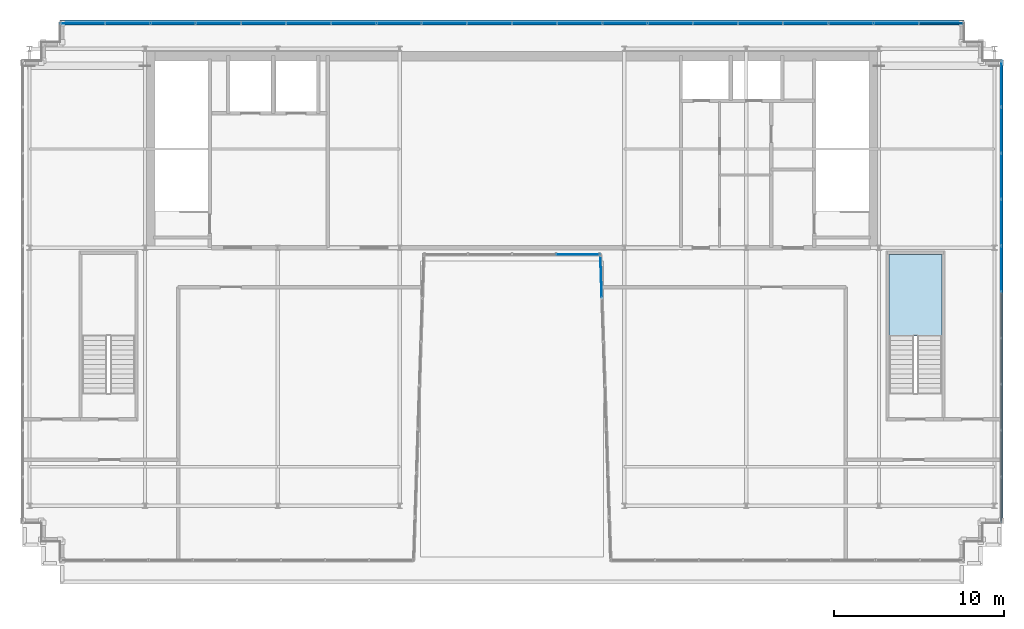
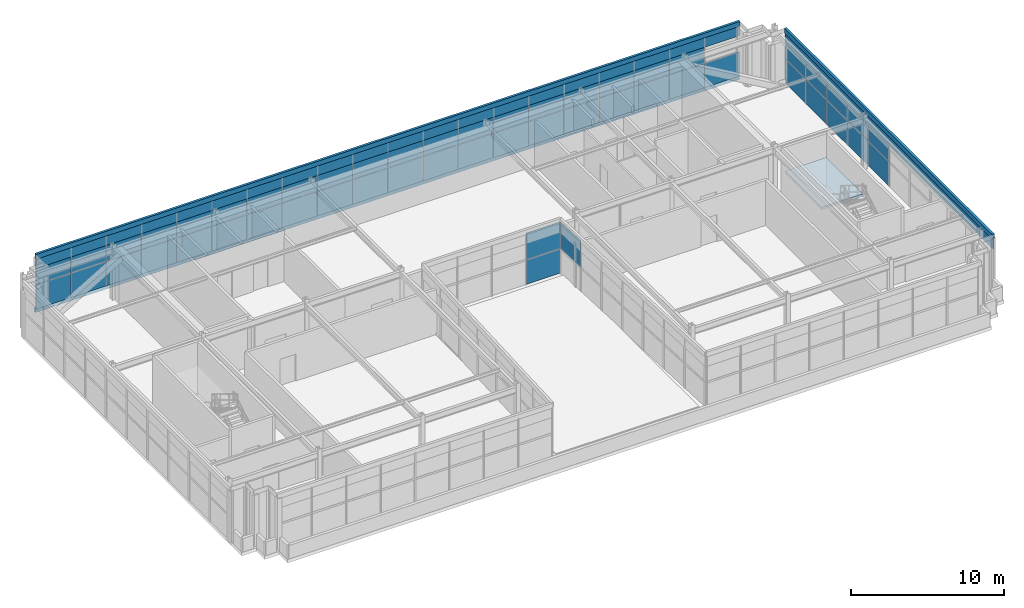
# One storey, part 29 of 37: 56 plates, 2 slabs, 5 elements without a shape of their own.
"""IFC4 building model written with IfcOpenShell, lengths in metres."""

from ifc_helpers import new_model, si_unit, direction, frame, origin, origin_2d, place, context, subcontext, project, spatial, polyline, rectangle, outline, extrude, source, transform, mapped, material, layer, layer_set, type_object, element, aggregate, save


model = new_model("IFC4")

# Units and contexts
model_context = context("Model", 3, precision=1e-05, world=origin(), true_north=direction((0.0, 1.0)))
body_context = subcontext(model_context, "Body", "Model", "MODEL_VIEW")
ifc_project = project(units=[si_unit("LENGTHUNIT", "METRE"), si_unit("AREAUNIT", "SQUARE_METRE"), si_unit("VOLUMEUNIT", "CUBIC_METRE"), si_unit("PLANEANGLEUNIT", "RADIAN"), si_unit("MASSUNIT", "GRAM", prefix="KILO")], contexts=[model_context])

# Site, building, storey
site_placement = place(None, origin())
site = spatial("IfcSite", under=ifc_project, at=site_placement, CompositionType="ELEMENT")
building_placement = place(site_placement, origin())
building = spatial("IfcBuilding", under=site, at=building_placement, Name="Trelvane Seafront Commons", CompositionType="ELEMENT")
storey_placement = place(building_placement, frame((0.0, 0.0, 303.5)))
storey = spatial("IfcBuildingStorey", under=building, at=storey_placement, Name="L79", CompositionType="ELEMENT", Elevation=303.5)

# Stair, slab
ifc_material_1 = material(Name="Concrete C40/50", Category="concrete")
stair_type = type_object("IfcStairType", Name="ARCH-STR-ST-6-R26-169", PredefinedType="HALF_TURN_STAIR", material=ifc_material_1)
stair_placement = place(storey_placement, origin())
stair = element("IfcStair", 1, at=stair_placement, inside=storey, type_object=stair_type, Name="L79 Crown East Peak Enclosed Maintenance Exit Stair ST-6", PredefinedType="HALF_TURN_STAIR")
ifc_layer_1 = layer(ifc_material_1, 0.199951171875, Name="ARCH-LND-200")
ifc_layer_set_1 = layer_set([ifc_layer_1], Name="Concrete C40/50")
slab_type_1 = type_object("IfcSlabType", Name="ARCH-LND-200", PredefinedType="LANDING", material=ifc_layer_set_1)
slab_1_placement = place(storey_placement, frame((0.0, 0.0, 2.0)))
slab_1 = element("IfcSlab", 2, at=slab_1_placement, type_object=slab_type_1, Name="ST-6 landing 1", PredefinedType="LANDING", context=body_context, shape_type="SweptSolid", body=[
    extrude(outline(polyline([(62.5, 28.2099609375), (62.5, 33.0), (59.39990234375, 33.0), (59.39990234375, 28.2099609375), (62.5, 28.2099609375)])), origin(), (0.0, 0.0, 1.0), 0.199951171875),
])
aggregate(stair, [slab_1])

# Slab
ifc_layer_2 = layer(ifc_material_1, 0.27001953125, Name="STR-ROOF-270")
ifc_layer_set_2 = layer_set([ifc_layer_2], Name="Concrete C40/50")
slab_type_2 = type_object("IfcSlabType", Name="STR-ROOF-270", PredefinedType="ROOF", material=ifc_layer_set_2)
slab_2_placement = place(storey_placement, frame((0.0, 0.0, -0.27001953125)))
element("IfcSlab", 3, at=slab_2_placement, inside=storey, type_object=slab_type_2, Name="L79 Crown Setback Step Roof Slab", PredefinedType="ROOF", context=body_context, shape_type="SweptSolid", body=[
    extrude(outline(polyline([(10.60009765625, 46.60009765625), (63.800048828125, 46.60009765625), (63.800048828125, 46.800048828125), (10.60009765625, 46.800048828125), (10.60009765625, 46.60009765625)])), origin(), (0.0, 0.0, 1.0), 0.27001953125),
])

# Plate
ifc_material_2 = material(Name="Anodised pale-silver aluminium", Category="aluminium")
ifc_layer_3 = layer(ifc_material_2, 0.080078125, Name="ARCH-PLATE-LOUVRE")
ifc_layer_set_3 = layer_set([ifc_layer_3], Name="Anodised pale-silver aluminium")
plate_type_1 = type_object("IfcPlateType", Name="ARCH-PLATE-LOUVRE", PredefinedType="USERDEFINED", material=ifc_layer_set_3)
shared_shape_1 = source(origin(), body_context, "Body", "SweptSolid", [
    extrude(rectangle(XDim=53.199951171875, YDim=0.080078125, at=origin_2d()), origin(), (0.0, 0.0, 1.0), 0.889892578125),
])
plate_1_placement = place(storey_placement, frame((37.199951171875, 46.60009765625, 3.25), z_axis=(0.0, 0.0, 1.0), x_axis=(1.0, 0.0, 0.0)))
element("IfcPlate", 4, at=plate_1_placement, inside=storey, type_object=plate_type_1, Name="LOU-L79-018", ObjectType="LOUVRE", PredefinedType="USERDEFINED", context=body_context, shape_type="MappedRepresentation", body=[
    mapped(shared_shape_1, transform((0.0, 0.0, 0.0), x_axis=(1.0, 0.0, 0.0), y_axis=(0.0, 1.0, 0.0), z_axis=(0.0, 0.0, 1.0), scale=1.0)),
])

# Curtain wall, plates
curtain_wall_type = type_object("IfcCurtainWallType", Name="ARCH-CW6-CROWN", PredefinedType="NOTDEFINED", material=ifc_material_2)
curtain_wall_1_placement = place(storey_placement, origin())
curtain_wall_1 = element("IfcCurtainWall", 5, at=curtain_wall_1_placement, inside=storey, type_object=curtain_wall_type, Name="CW-L79-0130", PredefinedType="NOTDEFINED")
ifc_material_3 = material(Name="Low-E coastal double glazing", Category="glass")
ifc_layer_4 = layer(ifc_material_3, 0.033935546875, Name="ARCH-CW-GLAZ-34")
ifc_layer_set_4 = layer_set([ifc_layer_4], Name="Low-E coastal double glazing")
plate_type_2 = type_object("IfcPlateType", Name="ARCH-CW-GLAZ-34", PredefinedType="CURTAIN_PANEL", material=ifc_layer_set_4)
shared_shape_2 = source(origin(), body_context, "Body", "SweptSolid", [
    extrude(rectangle(XDim=2.696044921875, YDim=0.031982421875, at=origin_2d()), origin(), (0.0, 0.0, 1.0), 1.949951171875),
])
plate_2_placement = place(storey_placement, frame((66.0, 43.0400390625, 0.0), z_axis=(0.0, 0.0, 1.0), x_axis=(0.0, -1.0, 0.0)))
plate_2 = element("IfcPlate", 6, at=plate_2_placement, type_object=plate_type_2, Name="CW-L79-0130-P00-1", PredefinedType="CURTAIN_PANEL", context=body_context, shape_type="MappedRepresentation", body=[
    mapped(shared_shape_2, transform((0.0, 0.0, 0.0), x_axis=(1.0, 0.0, 0.0), y_axis=(0.0, 1.0, 0.0), z_axis=(0.0, 0.0, 1.0), scale=1.0)),
])
plate_3_placement = place(storey_placement, frame((66.0, 40.320068359375, 0.0), z_axis=(0.0, 0.0, 1.0), x_axis=(0.0, -1.0, 0.0)))
plate_3 = element("IfcPlate", 7, at=plate_3_placement, type_object=plate_type_2, Name="CW-L79-0130-P01-1", PredefinedType="CURTAIN_PANEL", context=body_context, shape_type="MappedRepresentation", body=[
    mapped(shared_shape_2, transform((0.0, 0.0, 0.0), x_axis=(1.0, 0.0, 0.0), y_axis=(0.0, 1.0, 0.0), z_axis=(0.0, 0.0, 1.0), scale=1.0)),
])
plate_4_placement = place(storey_placement, frame((66.0, 37.60009765625, 0.0), z_axis=(0.0, 0.0, 1.0), x_axis=(0.0, -1.0, 0.0)))
plate_4 = element("IfcPlate", 8, at=plate_4_placement, type_object=plate_type_2, Name="CW-L79-0130-P02-1", PredefinedType="CURTAIN_PANEL", context=body_context, shape_type="MappedRepresentation", body=[
    mapped(shared_shape_2, transform((0.0, 0.0, 0.0), x_axis=(1.0, 0.0, 0.0), y_axis=(0.0, 1.0, 0.0), z_axis=(0.0, 0.0, 1.0), scale=1.0)),
])
plate_5_placement = place(storey_placement, frame((66.0, 34.8798828125, 0.0), z_axis=(0.0, 0.0, 1.0), x_axis=(0.0, -1.0, 0.0)))
plate_5 = element("IfcPlate", 9, at=plate_5_placement, type_object=plate_type_2, Name="CW-L79-0130-P03-1", PredefinedType="CURTAIN_PANEL", context=body_context, shape_type="MappedRepresentation", body=[
    mapped(shared_shape_2, transform((0.0, 0.0, 0.0), x_axis=(1.0, 0.0, 0.0), y_axis=(0.0, 1.0, 0.0), z_axis=(0.0, 0.0, 1.0), scale=1.0)),
])
plate_6_placement = place(storey_placement, frame((66.0, 32.159912109375, 0.0), z_axis=(0.0, 0.0, 1.0), x_axis=(0.0, -1.0, 0.0)))
plate_6 = element("IfcPlate", 10, at=plate_6_placement, type_object=plate_type_2, Name="CW-L79-0130-P04-1", PredefinedType="CURTAIN_PANEL", context=body_context, shape_type="MappedRepresentation", body=[
    mapped(shared_shape_2, transform((0.0, 0.0, 0.0), x_axis=(1.0, 0.0, 0.0), y_axis=(0.0, 1.0, 0.0), z_axis=(0.0, 0.0, 1.0), scale=1.0)),
])
shared_shape_3 = source(origin(), body_context, "Body", "SweptSolid", [
    extrude(rectangle(XDim=2.696044921875, YDim=0.031982421875, at=origin_2d()), origin(), (0.0, 0.0, 1.0), 2.114013671875),
])
plate_7_placement = place(storey_placement, frame((66.0, 43.0400390625, 1.98583984375), z_axis=(0.0, 0.0, 1.0), x_axis=(0.0, -1.0, 0.0)))
plate_7 = element("IfcPlate", 11, at=plate_7_placement, type_object=plate_type_2, Name="CW-L79-0130-P00-2", PredefinedType="CURTAIN_PANEL", context=body_context, shape_type="MappedRepresentation", body=[
    mapped(shared_shape_3, transform((0.0, 0.0, 0.0), x_axis=(1.0, 0.0, 0.0), y_axis=(0.0, 1.0, 0.0), z_axis=(0.0, 0.0, 1.0), scale=1.0)),
])
plate_8_placement = place(storey_placement, frame((66.0, 40.320068359375, 1.98583984375), z_axis=(0.0, 0.0, 1.0), x_axis=(0.0, -1.0, 0.0)))
plate_8 = element("IfcPlate", 12, at=plate_8_placement, type_object=plate_type_2, Name="CW-L79-0130-P01-2", PredefinedType="CURTAIN_PANEL", context=body_context, shape_type="MappedRepresentation", body=[
    mapped(shared_shape_3, transform((0.0, 0.0, 0.0), x_axis=(1.0, 0.0, 0.0), y_axis=(0.0, 1.0, 0.0), z_axis=(0.0, 0.0, 1.0), scale=1.0)),
])
plate_9_placement = place(storey_placement, frame((66.0, 37.60009765625, 1.98583984375), z_axis=(0.0, 0.0, 1.0), x_axis=(0.0, -1.0, 0.0)))
plate_9 = element("IfcPlate", 13, at=plate_9_placement, type_object=plate_type_2, Name="CW-L79-0130-P02-2", PredefinedType="CURTAIN_PANEL", context=body_context, shape_type="MappedRepresentation", body=[
    mapped(shared_shape_3, transform((0.0, 0.0, 0.0), x_axis=(1.0, 0.0, 0.0), y_axis=(0.0, 1.0, 0.0), z_axis=(0.0, 0.0, 1.0), scale=1.0)),
])
plate_10_placement = place(storey_placement, frame((66.0, 34.8798828125, 1.98583984375), z_axis=(0.0, 0.0, 1.0), x_axis=(0.0, -1.0, 0.0)))
plate_10 = element("IfcPlate", 14, at=plate_10_placement, type_object=plate_type_2, Name="CW-L79-0130-P03-2", PredefinedType="CURTAIN_PANEL", context=body_context, shape_type="MappedRepresentation", body=[
    mapped(shared_shape_3, transform((0.0, 0.0, 0.0), x_axis=(1.0, 0.0, 0.0), y_axis=(0.0, 1.0, 0.0), z_axis=(0.0, 0.0, 1.0), scale=1.0)),
])
plate_11_placement = place(storey_placement, frame((66.0, 32.159912109375, 1.98583984375), z_axis=(0.0, 0.0, 1.0), x_axis=(0.0, -1.0, 0.0)))
plate_11 = element("IfcPlate", 15, at=plate_11_placement, type_object=plate_type_2, Name="CW-L79-0130-P04-2", PredefinedType="CURTAIN_PANEL", context=body_context, shape_type="MappedRepresentation", body=[
    mapped(shared_shape_3, transform((0.0, 0.0, 0.0), x_axis=(1.0, 0.0, 0.0), y_axis=(0.0, 1.0, 0.0), z_axis=(0.0, 0.0, 1.0), scale=1.0)),
])
aggregate(curtain_wall_1, [plate_2, plate_7, plate_3, plate_8, plate_4, plate_9, plate_5, plate_10, plate_6, plate_11])

# Plates
shared_shape_4 = source(origin(), body_context, "Body", "SweptSolid", [
    extrude(rectangle(XDim=27.199951171875, YDim=0.080078125, at=origin_2d()), origin(), (0.0, 0.0, 1.0), 0.889892578125),
])
plate_12_placement = place(storey_placement, frame((66.0, 30.800048828125, 3.25), z_axis=(0.0, 0.0, 1.0), x_axis=(0.0, -1.0, 0.0)))
element("IfcPlate", 16, at=plate_12_placement, inside=storey, type_object=plate_type_1, Name="LOU-L79-019", ObjectType="LOUVRE", PredefinedType="USERDEFINED", context=body_context, shape_type="MappedRepresentation", body=[
    mapped(shared_shape_4, transform((0.0, 0.0, 0.0), x_axis=(1.0, 0.0, 0.0), y_axis=(0.0, 1.0, 0.0), z_axis=(0.0, 0.0, 1.0), scale=1.0)),
])
ifc_layer_5 = layer(ifc_material_2, 0.179931640625, Name="ARCH-PLATE-AERO")
ifc_layer_set_5 = layer_set([ifc_layer_5], Name="Anodised pale-silver aluminium")
plate_type_3 = type_object("IfcPlateType", Name="ARCH-PLATE-AERO", PredefinedType="SHEET", material=ifc_layer_set_5)
shared_shape_5 = source(origin(), body_context, "Body", "SweptSolid", [
    extrude(rectangle(XDim=27.199951171875, YDim=0.179931640625, at=origin_2d()), origin(), (0.0, 0.0, 1.0), 0.3798828125),
])
plate_13_placement = place(storey_placement, frame((66.0, 30.800048828125, 4.0400390625), z_axis=(0.0, 0.0, 1.0), x_axis=(0.0, -1.0, 0.0)))
element("IfcPlate", 17, at=plate_13_placement, inside=storey, type_object=plate_type_3, Name="AER-L79-00276", PredefinedType="SHEET", context=body_context, shape_type="MappedRepresentation", body=[
    mapped(shared_shape_5, transform((0.0, 0.0, 0.0), x_axis=(1.0, 0.0, 0.0), y_axis=(0.0, 1.0, 0.0), z_axis=(0.0, 0.0, 1.0), scale=1.0)),
])

# Curtain wall, plates
curtain_wall_2_placement = place(storey_placement, origin())
curtain_wall_2 = element("IfcCurtainWall", 18, at=curtain_wall_2_placement, inside=storey, type_object=curtain_wall_type, Name="CW-L79-0129", PredefinedType="NOTDEFINED")
shared_shape_6 = source(origin(), body_context, "Body", "SweptSolid", [
    extrude(rectangle(XDim=2.635986328125, YDim=0.031982421875, at=origin_2d()), origin(), (0.0, 0.0, 1.0), 1.949951171875),
])
plate_14_placement = place(storey_placement, frame((11.929931640625, 46.60009765625, 0.0), z_axis=(0.0, 0.0, 1.0), x_axis=(1.0, 0.0, 0.0)))
plate_14 = element("IfcPlate", 19, at=plate_14_placement, type_object=plate_type_2, Name="CW-L79-0129-P00-1", PredefinedType="CURTAIN_PANEL", context=body_context, shape_type="MappedRepresentation", body=[
    mapped(shared_shape_6, transform((0.0, 0.0, 0.0), x_axis=(1.0, 0.0, 0.0), y_axis=(0.0, 1.0, 0.0), z_axis=(0.0, 0.0, 1.0), scale=1.0)),
])
plate_15_placement = place(storey_placement, frame((14.590087890625, 46.60009765625, 0.0), z_axis=(0.0, 0.0, 1.0), x_axis=(1.0, 0.0, 0.0)))
plate_15 = element("IfcPlate", 20, at=plate_15_placement, type_object=plate_type_2, Name="CW-L79-0129-P01-1", PredefinedType="CURTAIN_PANEL", context=body_context, shape_type="MappedRepresentation", body=[
    mapped(shared_shape_6, transform((0.0, 0.0, 0.0), x_axis=(1.0, 0.0, 0.0), y_axis=(0.0, 1.0, 0.0), z_axis=(0.0, 0.0, 1.0), scale=1.0)),
])
plate_16_placement = place(storey_placement, frame((17.25, 46.60009765625, 0.0), z_axis=(0.0, 0.0, 1.0), x_axis=(1.0, 0.0, 0.0)))
plate_16 = element("IfcPlate", 21, at=plate_16_placement, type_object=plate_type_2, Name="CW-L79-0129-P02-1", PredefinedType="CURTAIN_PANEL", context=body_context, shape_type="MappedRepresentation", body=[
    mapped(shared_shape_6, transform((0.0, 0.0, 0.0), x_axis=(1.0, 0.0, 0.0), y_axis=(0.0, 1.0, 0.0), z_axis=(0.0, 0.0, 1.0), scale=1.0)),
])
plate_17_placement = place(storey_placement, frame((19.909912109375, 46.60009765625, 0.0), z_axis=(0.0, 0.0, 1.0), x_axis=(1.0, 0.0, 0.0)))
plate_17 = element("IfcPlate", 22, at=plate_17_placement, type_object=plate_type_2, Name="CW-L79-0129-P03-1", PredefinedType="CURTAIN_PANEL", context=body_context, shape_type="MappedRepresentation", body=[
    mapped(shared_shape_6, transform((0.0, 0.0, 0.0), x_axis=(1.0, 0.0, 0.0), y_axis=(0.0, 1.0, 0.0), z_axis=(0.0, 0.0, 1.0), scale=1.0)),
])
plate_18_placement = place(storey_placement, frame((22.570068359375, 46.60009765625, 0.0), z_axis=(0.0, 0.0, 1.0), x_axis=(1.0, 0.0, 0.0)))
plate_18 = element("IfcPlate", 23, at=plate_18_placement, type_object=plate_type_2, Name="CW-L79-0129-P04-1", PredefinedType="CURTAIN_PANEL", context=body_context, shape_type="MappedRepresentation", body=[
    mapped(shared_shape_6, transform((0.0, 0.0, 0.0), x_axis=(1.0, 0.0, 0.0), y_axis=(0.0, 1.0, 0.0), z_axis=(0.0, 0.0, 1.0), scale=1.0)),
])
plate_19_placement = place(storey_placement, frame((25.22998046875, 46.60009765625, 0.0), z_axis=(0.0, 0.0, 1.0), x_axis=(1.0, 0.0, 0.0)))
plate_19 = element("IfcPlate", 24, at=plate_19_placement, type_object=plate_type_2, Name="CW-L79-0129-P05-1", PredefinedType="CURTAIN_PANEL", context=body_context, shape_type="MappedRepresentation", body=[
    mapped(shared_shape_6, transform((0.0, 0.0, 0.0), x_axis=(1.0, 0.0, 0.0), y_axis=(0.0, 1.0, 0.0), z_axis=(0.0, 0.0, 1.0), scale=1.0)),
])
plate_20_placement = place(storey_placement, frame((27.889892578125, 46.60009765625, 0.0), z_axis=(0.0, 0.0, 1.0), x_axis=(1.0, 0.0, 0.0)))
plate_20 = element("IfcPlate", 25, at=plate_20_placement, type_object=plate_type_2, Name="CW-L79-0129-P06-1", PredefinedType="CURTAIN_PANEL", context=body_context, shape_type="MappedRepresentation", body=[
    mapped(shared_shape_6, transform((0.0, 0.0, 0.0), x_axis=(1.0, 0.0, 0.0), y_axis=(0.0, 1.0, 0.0), z_axis=(0.0, 0.0, 1.0), scale=1.0)),
])
plate_21_placement = place(storey_placement, frame((30.550048828125, 46.60009765625, 0.0), z_axis=(0.0, 0.0, 1.0), x_axis=(1.0, 0.0, 0.0)))
plate_21 = element("IfcPlate", 26, at=plate_21_placement, type_object=plate_type_2, Name="CW-L79-0129-P07-1", PredefinedType="CURTAIN_PANEL", context=body_context, shape_type="MappedRepresentation", body=[
    mapped(shared_shape_6, transform((0.0, 0.0, 0.0), x_axis=(1.0, 0.0, 0.0), y_axis=(0.0, 1.0, 0.0), z_axis=(0.0, 0.0, 1.0), scale=1.0)),
])
plate_22_placement = place(storey_placement, frame((33.2099609375, 46.60009765625, 0.0), z_axis=(0.0, 0.0, 1.0), x_axis=(1.0, 0.0, 0.0)))
plate_22 = element("IfcPlate", 27, at=plate_22_placement, type_object=plate_type_2, Name="CW-L79-0129-P08-1", PredefinedType="CURTAIN_PANEL", context=body_context, shape_type="MappedRepresentation", body=[
    mapped(shared_shape_6, transform((0.0, 0.0, 0.0), x_axis=(1.0, 0.0, 0.0), y_axis=(0.0, 1.0, 0.0), z_axis=(0.0, 0.0, 1.0), scale=1.0)),
])
plate_23_placement = place(storey_placement, frame((35.8701171875, 46.60009765625, 0.0), z_axis=(0.0, 0.0, 1.0), x_axis=(1.0, 0.0, 0.0)))
plate_23 = element("IfcPlate", 28, at=plate_23_placement, type_object=plate_type_2, Name="CW-L79-0129-P09-1", PredefinedType="CURTAIN_PANEL", context=body_context, shape_type="MappedRepresentation", body=[
    mapped(shared_shape_6, transform((0.0, 0.0, 0.0), x_axis=(1.0, 0.0, 0.0), y_axis=(0.0, 1.0, 0.0), z_axis=(0.0, 0.0, 1.0), scale=1.0)),
])
plate_24_placement = place(storey_placement, frame((38.530029296875, 46.60009765625, 0.0), z_axis=(0.0, 0.0, 1.0), x_axis=(1.0, 0.0, 0.0)))
plate_24 = element("IfcPlate", 29, at=plate_24_placement, type_object=plate_type_2, Name="CW-L79-0129-P10-1", PredefinedType="CURTAIN_PANEL", context=body_context, shape_type="MappedRepresentation", body=[
    mapped(shared_shape_6, transform((0.0, 0.0, 0.0), x_axis=(1.0, 0.0, 0.0), y_axis=(0.0, 1.0, 0.0), z_axis=(0.0, 0.0, 1.0), scale=1.0)),
])
plate_25_placement = place(storey_placement, frame((41.18994140625, 46.60009765625, 0.0), z_axis=(0.0, 0.0, 1.0), x_axis=(1.0, 0.0, 0.0)))
plate_25 = element("IfcPlate", 30, at=plate_25_placement, type_object=plate_type_2, Name="CW-L79-0129-P11-1", PredefinedType="CURTAIN_PANEL", context=body_context, shape_type="MappedRepresentation", body=[
    mapped(shared_shape_6, transform((0.0, 0.0, 0.0), x_axis=(1.0, 0.0, 0.0), y_axis=(0.0, 1.0, 0.0), z_axis=(0.0, 0.0, 1.0), scale=1.0)),
])
plate_26_placement = place(storey_placement, frame((43.85009765625, 46.60009765625, 0.0), z_axis=(0.0, 0.0, 1.0), x_axis=(1.0, 0.0, 0.0)))
plate_26 = element("IfcPlate", 31, at=plate_26_placement, type_object=plate_type_2, Name="CW-L79-0129-P12-1", PredefinedType="CURTAIN_PANEL", context=body_context, shape_type="MappedRepresentation", body=[
    mapped(shared_shape_6, transform((0.0, 0.0, 0.0), x_axis=(1.0, 0.0, 0.0), y_axis=(0.0, 1.0, 0.0), z_axis=(0.0, 0.0, 1.0), scale=1.0)),
])
plate_27_placement = place(storey_placement, frame((46.510009765625, 46.60009765625, 0.0), z_axis=(0.0, 0.0, 1.0), x_axis=(1.0, 0.0, 0.0)))
plate_27 = element("IfcPlate", 32, at=plate_27_placement, type_object=plate_type_2, Name="CW-L79-0129-P13-1", PredefinedType="CURTAIN_PANEL", context=body_context, shape_type="MappedRepresentation", body=[
    mapped(shared_shape_6, transform((0.0, 0.0, 0.0), x_axis=(1.0, 0.0, 0.0), y_axis=(0.0, 1.0, 0.0), z_axis=(0.0, 0.0, 1.0), scale=1.0)),
])
plate_28_placement = place(storey_placement, frame((49.169921875, 46.60009765625, 0.0), z_axis=(0.0, 0.0, 1.0), x_axis=(1.0, 0.0, 0.0)))
plate_28 = element("IfcPlate", 33, at=plate_28_placement, type_object=plate_type_2, Name="CW-L79-0129-P14-1", PredefinedType="CURTAIN_PANEL", context=body_context, shape_type="MappedRepresentation", body=[
    mapped(shared_shape_6, transform((0.0, 0.0, 0.0), x_axis=(1.0, 0.0, 0.0), y_axis=(0.0, 1.0, 0.0), z_axis=(0.0, 0.0, 1.0), scale=1.0)),
])
plate_29_placement = place(storey_placement, frame((51.830078125, 46.60009765625, 0.0), z_axis=(0.0, 0.0, 1.0), x_axis=(1.0, 0.0, 0.0)))
plate_29 = element("IfcPlate", 34, at=plate_29_placement, type_object=plate_type_2, Name="CW-L79-0129-P15-1", PredefinedType="CURTAIN_PANEL", context=body_context, shape_type="MappedRepresentation", body=[
    mapped(shared_shape_6, transform((0.0, 0.0, 0.0), x_axis=(1.0, 0.0, 0.0), y_axis=(0.0, 1.0, 0.0), z_axis=(0.0, 0.0, 1.0), scale=1.0)),
])
plate_30_placement = place(storey_placement, frame((54.489990234375, 46.60009765625, 0.0), z_axis=(0.0, 0.0, 1.0), x_axis=(1.0, 0.0, 0.0)))
plate_30 = element("IfcPlate", 35, at=plate_30_placement, type_object=plate_type_2, Name="CW-L79-0129-P16-1", PredefinedType="CURTAIN_PANEL", context=body_context, shape_type="MappedRepresentation", body=[
    mapped(shared_shape_6, transform((0.0, 0.0, 0.0), x_axis=(1.0, 0.0, 0.0), y_axis=(0.0, 1.0, 0.0), z_axis=(0.0, 0.0, 1.0), scale=1.0)),
])
plate_31_placement = place(storey_placement, frame((57.14990234375, 46.60009765625, 0.0), z_axis=(0.0, 0.0, 1.0), x_axis=(1.0, 0.0, 0.0)))
plate_31 = element("IfcPlate", 36, at=plate_31_placement, type_object=plate_type_2, Name="CW-L79-0129-P17-1", PredefinedType="CURTAIN_PANEL", context=body_context, shape_type="MappedRepresentation", body=[
    mapped(shared_shape_6, transform((0.0, 0.0, 0.0), x_axis=(1.0, 0.0, 0.0), y_axis=(0.0, 1.0, 0.0), z_axis=(0.0, 0.0, 1.0), scale=1.0)),
])
plate_32_placement = place(storey_placement, frame((59.81005859375, 46.60009765625, 0.0), z_axis=(0.0, 0.0, 1.0), x_axis=(1.0, 0.0, 0.0)))
plate_32 = element("IfcPlate", 37, at=plate_32_placement, type_object=plate_type_2, Name="CW-L79-0129-P18-1", PredefinedType="CURTAIN_PANEL", context=body_context, shape_type="MappedRepresentation", body=[
    mapped(shared_shape_6, transform((0.0, 0.0, 0.0), x_axis=(1.0, 0.0, 0.0), y_axis=(0.0, 1.0, 0.0), z_axis=(0.0, 0.0, 1.0), scale=1.0)),
])
plate_33_placement = place(storey_placement, frame((62.469970703125, 46.60009765625, 0.0), z_axis=(0.0, 0.0, 1.0), x_axis=(1.0, 0.0, 0.0)))
plate_33 = element("IfcPlate", 38, at=plate_33_placement, type_object=plate_type_2, Name="CW-L79-0129-P19-1", PredefinedType="CURTAIN_PANEL", context=body_context, shape_type="MappedRepresentation", body=[
    mapped(shared_shape_6, transform((0.0, 0.0, 0.0), x_axis=(1.0, 0.0, 0.0), y_axis=(0.0, 1.0, 0.0), z_axis=(0.0, 0.0, 1.0), scale=1.0)),
])
shared_shape_7 = source(origin(), body_context, "Body", "SweptSolid", [
    extrude(rectangle(XDim=2.635986328125, YDim=0.031982421875, at=origin_2d()), origin(), (0.0, 0.0, 1.0), 2.114013671875),
])
plate_34_placement = place(storey_placement, frame((11.929931640625, 46.60009765625, 1.98583984375), z_axis=(0.0, 0.0, 1.0), x_axis=(1.0, 0.0, 0.0)))
plate_34 = element("IfcPlate", 39, at=plate_34_placement, type_object=plate_type_2, Name="CW-L79-0129-P00-2", PredefinedType="CURTAIN_PANEL", context=body_context, shape_type="MappedRepresentation", body=[
    mapped(shared_shape_7, transform((0.0, 0.0, 0.0), x_axis=(1.0, 0.0, 0.0), y_axis=(0.0, 1.0, 0.0), z_axis=(0.0, 0.0, 1.0), scale=1.0)),
])
plate_35_placement = place(storey_placement, frame((14.590087890625, 46.60009765625, 1.98583984375), z_axis=(0.0, 0.0, 1.0), x_axis=(1.0, 0.0, 0.0)))
plate_35 = element("IfcPlate", 40, at=plate_35_placement, type_object=plate_type_2, Name="CW-L79-0129-P01-2", PredefinedType="CURTAIN_PANEL", context=body_context, shape_type="MappedRepresentation", body=[
    mapped(shared_shape_7, transform((0.0, 0.0, 0.0), x_axis=(1.0, 0.0, 0.0), y_axis=(0.0, 1.0, 0.0), z_axis=(0.0, 0.0, 1.0), scale=1.0)),
])
plate_36_placement = place(storey_placement, frame((17.25, 46.60009765625, 1.98583984375), z_axis=(0.0, 0.0, 1.0), x_axis=(1.0, 0.0, 0.0)))
plate_36 = element("IfcPlate", 41, at=plate_36_placement, type_object=plate_type_2, Name="CW-L79-0129-P02-2", PredefinedType="CURTAIN_PANEL", context=body_context, shape_type="MappedRepresentation", body=[
    mapped(shared_shape_7, transform((0.0, 0.0, 0.0), x_axis=(1.0, 0.0, 0.0), y_axis=(0.0, 1.0, 0.0), z_axis=(0.0, 0.0, 1.0), scale=1.0)),
])
plate_37_placement = place(storey_placement, frame((19.909912109375, 46.60009765625, 1.98583984375), z_axis=(0.0, 0.0, 1.0), x_axis=(1.0, 0.0, 0.0)))
plate_37 = element("IfcPlate", 42, at=plate_37_placement, type_object=plate_type_2, Name="CW-L79-0129-P03-2", PredefinedType="CURTAIN_PANEL", context=body_context, shape_type="MappedRepresentation", body=[
    mapped(shared_shape_7, transform((0.0, 0.0, 0.0), x_axis=(1.0, 0.0, 0.0), y_axis=(0.0, 1.0, 0.0), z_axis=(0.0, 0.0, 1.0), scale=1.0)),
])
plate_38_placement = place(storey_placement, frame((22.570068359375, 46.60009765625, 1.98583984375), z_axis=(0.0, 0.0, 1.0), x_axis=(1.0, 0.0, 0.0)))
plate_38 = element("IfcPlate", 43, at=plate_38_placement, type_object=plate_type_2, Name="CW-L79-0129-P04-2", PredefinedType="CURTAIN_PANEL", context=body_context, shape_type="MappedRepresentation", body=[
    mapped(shared_shape_7, transform((0.0, 0.0, 0.0), x_axis=(1.0, 0.0, 0.0), y_axis=(0.0, 1.0, 0.0), z_axis=(0.0, 0.0, 1.0), scale=1.0)),
])
plate_39_placement = place(storey_placement, frame((25.22998046875, 46.60009765625, 1.98583984375), z_axis=(0.0, 0.0, 1.0), x_axis=(1.0, 0.0, 0.0)))
plate_39 = element("IfcPlate", 44, at=plate_39_placement, type_object=plate_type_2, Name="CW-L79-0129-P05-2", PredefinedType="CURTAIN_PANEL", context=body_context, shape_type="MappedRepresentation", body=[
    mapped(shared_shape_7, transform((0.0, 0.0, 0.0), x_axis=(1.0, 0.0, 0.0), y_axis=(0.0, 1.0, 0.0), z_axis=(0.0, 0.0, 1.0), scale=1.0)),
])
plate_40_placement = place(storey_placement, frame((27.889892578125, 46.60009765625, 1.98583984375), z_axis=(0.0, 0.0, 1.0), x_axis=(1.0, 0.0, 0.0)))
plate_40 = element("IfcPlate", 45, at=plate_40_placement, type_object=plate_type_2, Name="CW-L79-0129-P06-2", PredefinedType="CURTAIN_PANEL", context=body_context, shape_type="MappedRepresentation", body=[
    mapped(shared_shape_7, transform((0.0, 0.0, 0.0), x_axis=(1.0, 0.0, 0.0), y_axis=(0.0, 1.0, 0.0), z_axis=(0.0, 0.0, 1.0), scale=1.0)),
])
plate_41_placement = place(storey_placement, frame((30.550048828125, 46.60009765625, 1.98583984375), z_axis=(0.0, 0.0, 1.0), x_axis=(1.0, 0.0, 0.0)))
plate_41 = element("IfcPlate", 46, at=plate_41_placement, type_object=plate_type_2, Name="CW-L79-0129-P07-2", PredefinedType="CURTAIN_PANEL", context=body_context, shape_type="MappedRepresentation", body=[
    mapped(shared_shape_7, transform((0.0, 0.0, 0.0), x_axis=(1.0, 0.0, 0.0), y_axis=(0.0, 1.0, 0.0), z_axis=(0.0, 0.0, 1.0), scale=1.0)),
])
plate_42_placement = place(storey_placement, frame((33.2099609375, 46.60009765625, 1.98583984375), z_axis=(0.0, 0.0, 1.0), x_axis=(1.0, 0.0, 0.0)))
plate_42 = element("IfcPlate", 47, at=plate_42_placement, type_object=plate_type_2, Name="CW-L79-0129-P08-2", PredefinedType="CURTAIN_PANEL", context=body_context, shape_type="MappedRepresentation", body=[
    mapped(shared_shape_7, transform((0.0, 0.0, 0.0), x_axis=(1.0, 0.0, 0.0), y_axis=(0.0, 1.0, 0.0), z_axis=(0.0, 0.0, 1.0), scale=1.0)),
])
plate_43_placement = place(storey_placement, frame((35.8701171875, 46.60009765625, 1.98583984375), z_axis=(0.0, 0.0, 1.0), x_axis=(1.0, 0.0, 0.0)))
plate_43 = element("IfcPlate", 48, at=plate_43_placement, type_object=plate_type_2, Name="CW-L79-0129-P09-2", PredefinedType="CURTAIN_PANEL", context=body_context, shape_type="MappedRepresentation", body=[
    mapped(shared_shape_7, transform((0.0, 0.0, 0.0), x_axis=(1.0, 0.0, 0.0), y_axis=(0.0, 1.0, 0.0), z_axis=(0.0, 0.0, 1.0), scale=1.0)),
])
plate_44_placement = place(storey_placement, frame((38.530029296875, 46.60009765625, 1.98583984375), z_axis=(0.0, 0.0, 1.0), x_axis=(1.0, 0.0, 0.0)))
plate_44 = element("IfcPlate", 49, at=plate_44_placement, type_object=plate_type_2, Name="CW-L79-0129-P10-2", PredefinedType="CURTAIN_PANEL", context=body_context, shape_type="MappedRepresentation", body=[
    mapped(shared_shape_7, transform((0.0, 0.0, 0.0), x_axis=(1.0, 0.0, 0.0), y_axis=(0.0, 1.0, 0.0), z_axis=(0.0, 0.0, 1.0), scale=1.0)),
])
plate_45_placement = place(storey_placement, frame((41.18994140625, 46.60009765625, 1.98583984375), z_axis=(0.0, 0.0, 1.0), x_axis=(1.0, 0.0, 0.0)))
plate_45 = element("IfcPlate", 50, at=plate_45_placement, type_object=plate_type_2, Name="CW-L79-0129-P11-2", PredefinedType="CURTAIN_PANEL", context=body_context, shape_type="MappedRepresentation", body=[
    mapped(shared_shape_7, transform((0.0, 0.0, 0.0), x_axis=(1.0, 0.0, 0.0), y_axis=(0.0, 1.0, 0.0), z_axis=(0.0, 0.0, 1.0), scale=1.0)),
])
plate_46_placement = place(storey_placement, frame((43.85009765625, 46.60009765625, 1.98583984375), z_axis=(0.0, 0.0, 1.0), x_axis=(1.0, 0.0, 0.0)))
plate_46 = element("IfcPlate", 51, at=plate_46_placement, type_object=plate_type_2, Name="CW-L79-0129-P12-2", PredefinedType="CURTAIN_PANEL", context=body_context, shape_type="MappedRepresentation", body=[
    mapped(shared_shape_7, transform((0.0, 0.0, 0.0), x_axis=(1.0, 0.0, 0.0), y_axis=(0.0, 1.0, 0.0), z_axis=(0.0, 0.0, 1.0), scale=1.0)),
])
plate_47_placement = place(storey_placement, frame((46.510009765625, 46.60009765625, 1.98583984375), z_axis=(0.0, 0.0, 1.0), x_axis=(1.0, 0.0, 0.0)))
plate_47 = element("IfcPlate", 52, at=plate_47_placement, type_object=plate_type_2, Name="CW-L79-0129-P13-2", PredefinedType="CURTAIN_PANEL", context=body_context, shape_type="MappedRepresentation", body=[
    mapped(shared_shape_7, transform((0.0, 0.0, 0.0), x_axis=(1.0, 0.0, 0.0), y_axis=(0.0, 1.0, 0.0), z_axis=(0.0, 0.0, 1.0), scale=1.0)),
])
plate_48_placement = place(storey_placement, frame((49.169921875, 46.60009765625, 1.98583984375), z_axis=(0.0, 0.0, 1.0), x_axis=(1.0, 0.0, 0.0)))
plate_48 = element("IfcPlate", 53, at=plate_48_placement, type_object=plate_type_2, Name="CW-L79-0129-P14-2", PredefinedType="CURTAIN_PANEL", context=body_context, shape_type="MappedRepresentation", body=[
    mapped(shared_shape_7, transform((0.0, 0.0, 0.0), x_axis=(1.0, 0.0, 0.0), y_axis=(0.0, 1.0, 0.0), z_axis=(0.0, 0.0, 1.0), scale=1.0)),
])
plate_49_placement = place(storey_placement, frame((51.830078125, 46.60009765625, 1.98583984375), z_axis=(0.0, 0.0, 1.0), x_axis=(1.0, 0.0, 0.0)))
plate_49 = element("IfcPlate", 54, at=plate_49_placement, type_object=plate_type_2, Name="CW-L79-0129-P15-2", PredefinedType="CURTAIN_PANEL", context=body_context, shape_type="MappedRepresentation", body=[
    mapped(shared_shape_7, transform((0.0, 0.0, 0.0), x_axis=(1.0, 0.0, 0.0), y_axis=(0.0, 1.0, 0.0), z_axis=(0.0, 0.0, 1.0), scale=1.0)),
])
plate_50_placement = place(storey_placement, frame((54.489990234375, 46.60009765625, 1.98583984375), z_axis=(0.0, 0.0, 1.0), x_axis=(1.0, 0.0, 0.0)))
plate_50 = element("IfcPlate", 55, at=plate_50_placement, type_object=plate_type_2, Name="CW-L79-0129-P16-2", PredefinedType="CURTAIN_PANEL", context=body_context, shape_type="MappedRepresentation", body=[
    mapped(shared_shape_7, transform((0.0, 0.0, 0.0), x_axis=(1.0, 0.0, 0.0), y_axis=(0.0, 1.0, 0.0), z_axis=(0.0, 0.0, 1.0), scale=1.0)),
])
plate_51_placement = place(storey_placement, frame((57.14990234375, 46.60009765625, 1.98583984375), z_axis=(0.0, 0.0, 1.0), x_axis=(1.0, 0.0, 0.0)))
plate_51 = element("IfcPlate", 56, at=plate_51_placement, type_object=plate_type_2, Name="CW-L79-0129-P17-2", PredefinedType="CURTAIN_PANEL", context=body_context, shape_type="MappedRepresentation", body=[
    mapped(shared_shape_7, transform((0.0, 0.0, 0.0), x_axis=(1.0, 0.0, 0.0), y_axis=(0.0, 1.0, 0.0), z_axis=(0.0, 0.0, 1.0), scale=1.0)),
])
plate_52_placement = place(storey_placement, frame((59.81005859375, 46.60009765625, 1.98583984375), z_axis=(0.0, 0.0, 1.0), x_axis=(1.0, 0.0, 0.0)))
plate_52 = element("IfcPlate", 57, at=plate_52_placement, type_object=plate_type_2, Name="CW-L79-0129-P18-2", PredefinedType="CURTAIN_PANEL", context=body_context, shape_type="MappedRepresentation", body=[
    mapped(shared_shape_7, transform((0.0, 0.0, 0.0), x_axis=(1.0, 0.0, 0.0), y_axis=(0.0, 1.0, 0.0), z_axis=(0.0, 0.0, 1.0), scale=1.0)),
])
aggregate(curtain_wall_2, [plate_14, plate_34, plate_15, plate_35, plate_16, plate_36, plate_17, plate_37, plate_18, plate_38, plate_19, plate_39, plate_20, plate_40, plate_21, plate_41, plate_22, plate_42, plate_23, plate_43, plate_24, plate_44, plate_25, plate_45, plate_26, plate_46, plate_27, plate_47, plate_28, plate_48, plate_29, plate_49, plate_30, plate_50, plate_31, plate_51, plate_32, plate_52, plate_33])

# Plate
shared_shape_8 = source(origin(), body_context, "Body", "SweptSolid", [
    extrude(rectangle(XDim=53.199951171875, YDim=0.179931640625, at=origin_2d()), origin(), (0.0, 0.0, 1.0), 0.3798828125),
])
plate_53_placement = place(storey_placement, frame((37.199951171875, 46.60009765625, 4.0400390625), z_axis=(0.0, 0.0, 1.0), x_axis=(1.0, 0.0, 0.0)))
element("IfcPlate", 58, at=plate_53_placement, inside=storey, type_object=plate_type_3, Name="AER-L79-00275", PredefinedType="SHEET", context=body_context, shape_type="MappedRepresentation", body=[
    mapped(shared_shape_8, transform((0.0, 0.0, 0.0), x_axis=(1.0, 0.0, 0.0), y_axis=(0.0, 1.0, 0.0), z_axis=(0.0, 0.0, 1.0), scale=1.0)),
])

# Curtain wall, plates
curtain_wall_3_placement = place(storey_placement, origin())
curtain_wall_3 = element("IfcCurtainWall", 59, at=curtain_wall_3_placement, inside=storey, type_object=curtain_wall_type, Name="CW-L79-0133", PredefinedType="NOTDEFINED")
shared_shape_9 = source(origin(), body_context, "Body", "SweptSolid", [
    extrude(rectangle(XDim=2.575927734375, YDim=0.031982421875, at=origin_2d()), origin(), (0.0, 0.0, 1.0), 1.949951171875),
])
plate_54_placement = place(storey_placement, frame((41.10009765625, 33.0, 0.0), z_axis=(0.0, 0.0, 1.0), x_axis=(-1.0, 0.0, 0.0)))
plate_54 = element("IfcPlate", 60, at=plate_54_placement, type_object=plate_type_2, Name="CW-L79-0133-P00-1", PredefinedType="CURTAIN_PANEL", context=body_context, shape_type="MappedRepresentation", body=[
    mapped(shared_shape_9, transform((0.0, 0.0, 0.0), x_axis=(1.0, 0.0, 0.0), y_axis=(0.0, 1.0, 0.0), z_axis=(0.0, 0.0, 1.0), scale=1.0)),
])
shared_shape_10 = source(origin(), body_context, "Body", "SweptSolid", [
    extrude(rectangle(XDim=2.575927734375, YDim=0.031982421875, at=origin_2d()), origin(), (0.0, 0.0, 1.0), 2.114013671875),
])
plate_55_placement = place(storey_placement, frame((41.10009765625, 33.0, 1.98583984375), z_axis=(0.0, 0.0, 1.0), x_axis=(-1.0, 0.0, 0.0)))
plate_55 = element("IfcPlate", 61, at=plate_55_placement, type_object=plate_type_2, Name="CW-L79-0133-P00-2", PredefinedType="CURTAIN_PANEL", context=body_context, shape_type="MappedRepresentation", body=[
    mapped(shared_shape_10, transform((0.0, 0.0, 0.0), x_axis=(1.0, 0.0, 0.0), y_axis=(0.0, 1.0, 0.0), z_axis=(0.0, 0.0, 1.0), scale=1.0)),
])
aggregate(curtain_wall_3, [plate_54, plate_55])

# Curtain wall, plate
curtain_wall_4_placement = place(storey_placement, origin())
curtain_wall_4 = element("IfcCurtainWall", 62, at=curtain_wall_4_placement, inside=storey, type_object=curtain_wall_type, Name="CW-L79-0132", PredefinedType="NOTDEFINED")
shared_shape_11 = source(origin(), body_context, "Body", "SweptSolid", [
    extrude(rectangle(XDim=2.548828125, YDim=0.031982421875, at=origin_2d()), origin(), (0.0, 0.0, 1.0), 2.114013671875),
])
plate_56_placement = place(storey_placement, frame((42.44287109375, 31.71435546875, 1.98583984375), z_axis=(0.0, 0.0, 1.0), x_axis=(-0.033310426891, 0.999445053747, 0.0)))
plate_56 = element("IfcPlate", 63, at=plate_56_placement, type_object=plate_type_2, Name="CW-L79-0132-P06-2", PredefinedType="CURTAIN_PANEL", context=body_context, shape_type="MappedRepresentation", body=[
    mapped(shared_shape_11, transform((0.0, 0.0, 0.0), x_axis=(1.0, 0.0, 0.0), y_axis=(0.0, 1.0, 0.0), z_axis=(0.0, 0.0, 1.0), scale=1.0)),
])
aggregate(curtain_wall_4, [plate_56])

save(model, "model.ifc")
